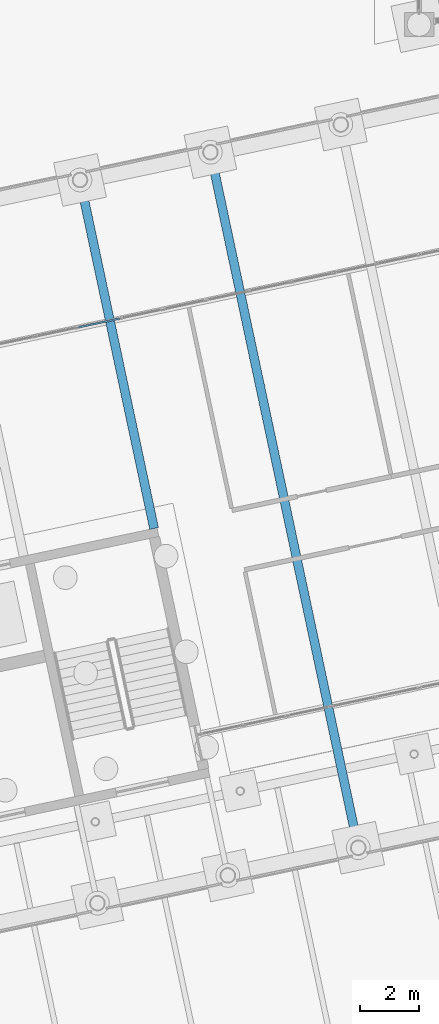
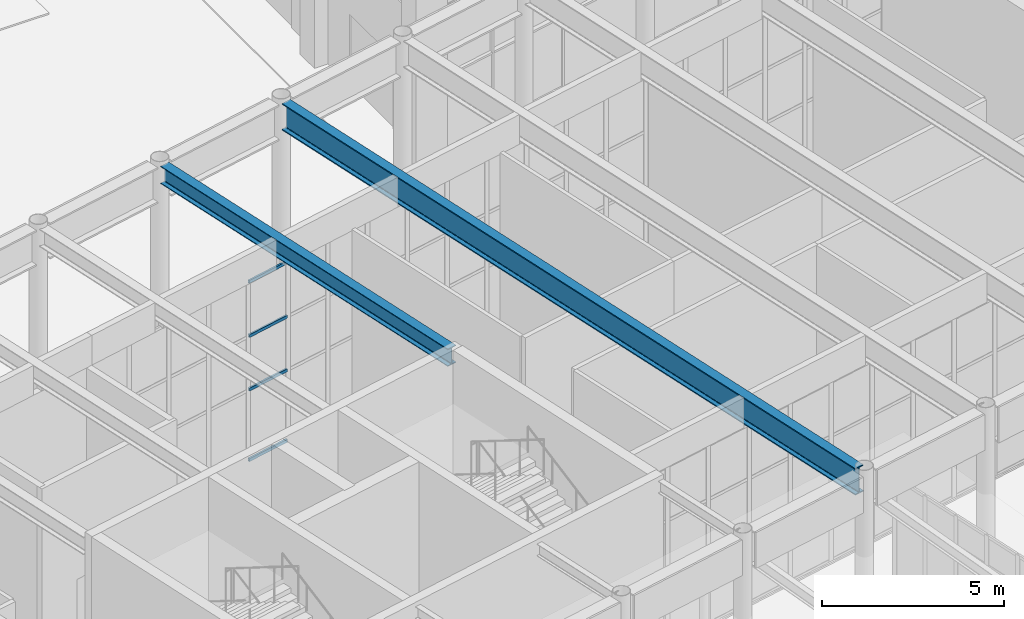
# One storey, part 86 of 239: 4 members, 2 beams, 1 element without a shape of its own.
"""IFC4 building model written with IfcOpenShell, lengths in metres."""

from ifc_helpers import new_model, si_unit, direction, frame, origin, origin_2d, place, context, subcontext, project, spatial, hollow_rectangle, i_section, extrude, material, material_profile, profile_set, type_object, element, aggregate, save


model = new_model("IFC4")

# Units and contexts
model_context = context("Model", 3, precision=1e-05, world=origin(), true_north=direction((0.0, 1.0)))
body_context = subcontext(model_context, "Body", "Model", "MODEL_VIEW")
ifc_project = project(units=[si_unit("LENGTHUNIT", "METRE"), si_unit("AREAUNIT", "SQUARE_METRE"), si_unit("VOLUMEUNIT", "CUBIC_METRE"), si_unit("PLANEANGLEUNIT", "RADIAN"), si_unit("MASSUNIT", "GRAM", prefix="KILO")], contexts=[model_context])

# Site, building, storey
site_placement = place(None, origin())
site = spatial("IfcSite", under=ifc_project, at=site_placement, CompositionType="ELEMENT")
building_placement = place(site_placement, origin())
building = spatial("IfcBuilding", under=site, at=building_placement, Name="Okhra Congress Centre", CompositionType="ELEMENT")
storey_placement = place(building_placement, origin())
storey = spatial("IfcBuildingStorey", under=building, at=storey_placement, Name="L00", CompositionType="ELEMENT", Elevation=0.0)

# Curtain wall, members
ifc_material_1 = material(Name="Aluminium curtain wall, triple glazing", Category="aluminium")
curtain_wall_type = type_object("IfcCurtainWallType", Name="Curtain wall 1500 module", PredefinedType="NOTDEFINED", material=ifc_material_1)
curtain_wall_placement = place(storey_placement, origin())
curtain_wall = element("IfcCurtainWall", 1, at=curtain_wall_placement, inside=storey, type_object=curtain_wall_type, Name="Ground curtain wall N9", PredefinedType="NOTDEFINED")
ifc_material_2 = material(Name="Aluminium alloy EN AW-6063 T66", Category="aluminium")
ifc_material_profile_1 = material_profile(ifc_material_2, hollow_rectangle(XDim=0.06005859375, YDim=0.10009765625, WallThickness=0.00390625, at=origin_2d()), Name="RHS 60x100x4")
ifc_profile_set_1 = profile_set([ifc_material_profile_1], Name="Aluminium alloy EN AW-6063 T66")
member_type = type_object("IfcMemberType", Name="Curtain wall transom 60x100", PredefinedType="USERDEFINED", material=ifc_profile_set_1)
member_1_placement = place(storey_placement, frame((144.00927734375, 64.023681640625, 0.030029296875), z_axis=(0.978129864086, 0.20799511769, 0.0), x_axis=(-0.20799511769, 0.978129864086, 0.0)))
member_1 = element("IfcMember", 2, at=member_1_placement, type_object=member_type, Name="CW7 transom 5.1", ObjectType="TRANSOM", PredefinedType="USERDEFINED", context=body_context, shape_type="SweptSolid", body=[
    extrude(hollow_rectangle(XDim=0.06005859375, YDim=0.10009765625, WallThickness=0.00390625, at=origin_2d()), origin(), (0.0, 0.0, 1.0), 1.413330078125),
])
member_2_placement = place(storey_placement, frame((144.00927734375, 64.023681640625, 2.39990234375), z_axis=(0.978129864086, 0.20799511769, 0.0), x_axis=(-0.20799511769, 0.978129864086, 0.0)))
member_2 = element("IfcMember", 3, at=member_2_placement, type_object=member_type, Name="CW7 transom 5.2", ObjectType="TRANSOM", PredefinedType="USERDEFINED", context=body_context, shape_type="SweptSolid", body=[
    extrude(hollow_rectangle(XDim=0.06005859375, YDim=0.10009765625, WallThickness=0.00390625, at=origin_2d()), origin(), (0.0, 0.0, 1.0), 1.413330078125),
])
member_3_placement = place(storey_placement, frame((144.00927734375, 64.023681640625, 4.199951171875), z_axis=(0.978129864086, 0.20799511769, 0.0), x_axis=(-0.20799511769, 0.978129864086, 0.0)))
member_3 = element("IfcMember", 4, at=member_3_placement, type_object=member_type, Name="CW7 transom 5.3", ObjectType="TRANSOM", PredefinedType="USERDEFINED", context=body_context, shape_type="SweptSolid", body=[
    extrude(hollow_rectangle(XDim=0.06005859375, YDim=0.10009765625, WallThickness=0.00390625, at=origin_2d()), origin(), (0.0, 0.0, 1.0), 1.413330078125),
])
member_4_placement = place(storey_placement, frame((144.00927734375, 64.023681640625, 6.02001953125), z_axis=(0.978129864086, 0.20799511769, 0.0), x_axis=(-0.20799511769, 0.978129864086, 0.0)))
member_4 = element("IfcMember", 5, at=member_4_placement, type_object=member_type, Name="CW7 transom 5.4", ObjectType="TRANSOM", PredefinedType="USERDEFINED", context=body_context, shape_type="SweptSolid", body=[
    extrude(hollow_rectangle(XDim=0.06005859375, YDim=0.10009765625, WallThickness=0.00390625, at=origin_2d()), origin(), (0.0, 0.0, 1.0), 1.413330078125),
])
aggregate(curtain_wall, [member_1, member_2, member_3, member_4])

# Beams
ifc_material_3 = material(Name="Steel S355J2", Category="steel")
ifc_material_profile_2 = material_profile(ifc_material_3, i_section(OverallWidth=0.300048828125, OverallDepth=0.590087890625, WebThickness=0.012939453125, FlangeThickness=0.02490234375, FilletRadius=0.027099609375, at=origin_2d()), Name="HE 600 A")
ifc_profile_set_2 = profile_set([ifc_material_profile_2], Name="Steel S355J2")
beam_type_1 = type_object("IfcBeamType", Name="Floor beam HE 600 A", PredefinedType="BEAM", material=ifc_profile_set_2)
beam_1_placement = place(storey_placement, frame((146.554443359375, 57.234619140625, 6.7548828125), z_axis=(-0.207905918374, 0.978148827687, 0.0), x_axis=(-0.978148827687, -0.207905918374, 0.0)))
element("IfcBeam", 6, at=beam_1_placement, inside=storey, type_object=beam_type_1, Name="Floor beam 20.2", PredefinedType="BEAM", context=body_context, shape_type="SweptSolid", body=[
    extrude(i_section(OverallWidth=0.300048828125, OverallDepth=0.590087890625, WebThickness=0.012939453125, FlangeThickness=0.02490234375, FilletRadius=0.027099609375, at=origin_2d()), origin(), (0.0, 0.0, 1.0), 11.824951171875),
])
ifc_material_profile_3 = material_profile(ifc_material_3, i_section(OverallWidth=0.300048828125, OverallDepth=0.89990234375, WebThickness=0.0185546875, FlangeThickness=0.034912109375, FilletRadius=0.030029296875, at=origin_2d()), Name="HE 900 B")
ifc_profile_set_3 = profile_set([ifc_material_profile_3], Name="Steel S355J2")
beam_type_2 = type_object("IfcBeamType", Name="Floor beam HE 900 B", PredefinedType="BEAM", material=ifc_profile_set_3)
beam_2_placement = place(storey_placement, frame((153.404296875, 46.652587890625, 6.60009765625), z_axis=(-0.20791307081, 0.978147307406, 0.0), x_axis=(-0.978147307406, -0.20791307081, 0.0)))
element("IfcBeam", 7, at=beam_2_placement, inside=storey, type_object=beam_type_2, Name="Floor beam 21.1", PredefinedType="BEAM", context=body_context, shape_type="SweptSolid", body=[
    extrude(i_section(OverallWidth=0.300048828125, OverallDepth=0.89990234375, WebThickness=0.0185546875, FlangeThickness=0.034912109375, FilletRadius=0.030029296875, at=origin_2d()), origin(), (0.0, 0.0, 1.0), 23.599853515625),
])

save(model, "model.ifc")
